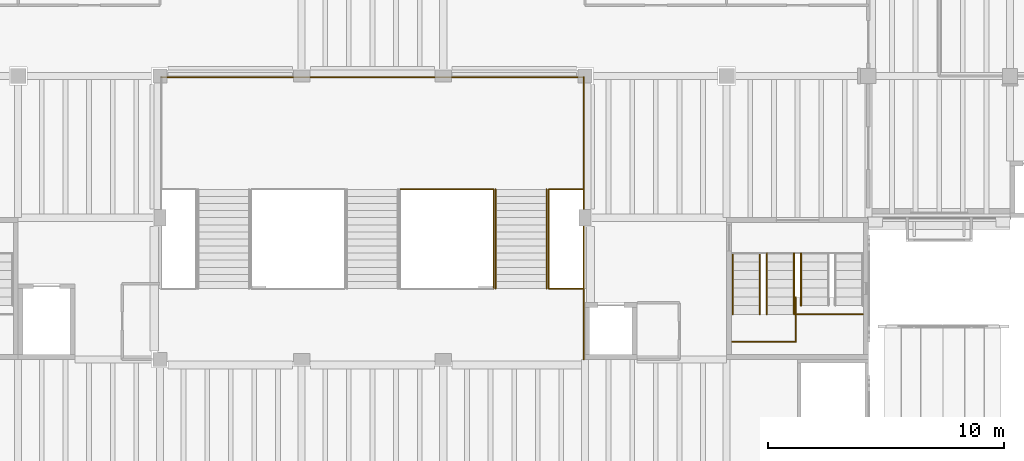
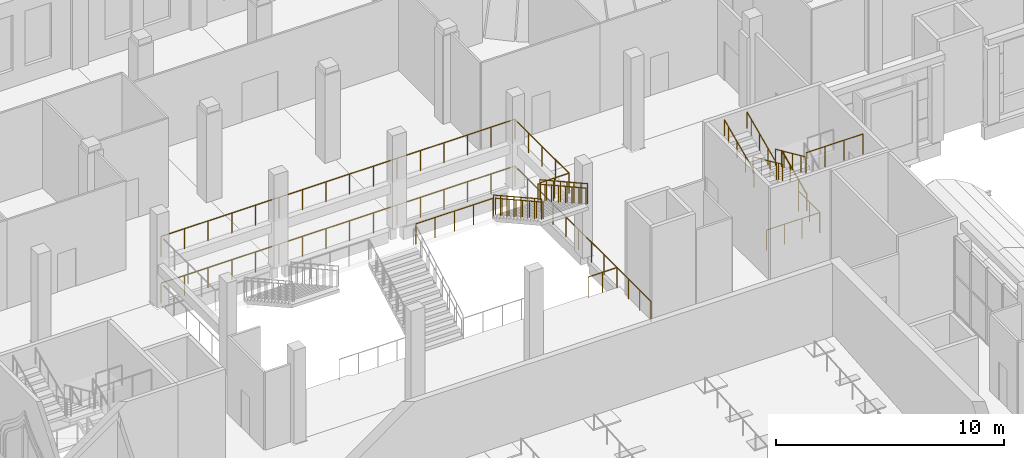
# One storey, part 77 of 80: 20 railings.
"""IFC4 building model written with IfcOpenShell, lengths in metres."""

from ifc_helpers import new_model, si_unit, direction, frame, origin, origin_2d, place, context, subcontext, project, spatial, circle, extrude, material, type_object, element, save


model = new_model("IFC4")

# Units and contexts
model_context = context("Model", 3, precision=1e-05, world=origin(), true_north=direction((0.0, 1.0)))
body_context = subcontext(model_context, "Body", "Model", "MODEL_VIEW")
ifc_project = project(units=[si_unit("LENGTHUNIT", "METRE"), si_unit("AREAUNIT", "SQUARE_METRE"), si_unit("VOLUMEUNIT", "CUBIC_METRE"), si_unit("PLANEANGLEUNIT", "RADIAN"), si_unit("MASSUNIT", "GRAM", prefix="KILO")], contexts=[model_context])

# Site, building, storey
site_placement = place(None, origin())
site = spatial("IfcSite", under=ifc_project, at=site_placement, CompositionType="ELEMENT")
building_placement = place(site_placement, origin())
building = spatial("IfcBuilding", under=site, at=building_placement, Name="Saffron Lane Theatres", CompositionType="ELEMENT")
storey_placement = place(building_placement, frame((0.0, 0.0, 7.0)))
storey = spatial("IfcBuildingStorey", under=building, at=storey_placement, Name="L01", CompositionType="ELEMENT", Elevation=7.0)

# Railings
ifc_material_1 = material(Name="Steel Grade 350", Category="steel")
railing_type_1 = type_object("IfcRailingType", Name="VC-GUARD 1100", PredefinedType="GUARDRAIL", material=ifc_material_1)
railing_1_placement = place(storey_placement, frame((50.89990234375, 96.75, 1.166748046875)))
element("IfcRailing", 1, at=railing_1_placement, inside=storey, type_object=railing_type_1, Name="Brick Block East Stair landing guard 2N1s", PredefinedType="GUARDRAIL", context=body_context, shape_type="SweptSolid", body=[
    extrude(circle(Radius=0.02392578125, at=origin_2d()), frame((0.0, 0.0, 1.076171875), z_axis=(-1.0, 0.0, 0.0), x_axis=(0.0, -1.0, 0.0)), (0.0, 0.0, 1.0), 2.669921875),
    extrude(circle(Radius=0.02099609375, at=origin_2d()), origin(), (0.0, 0.0, 1.0), 1.052001953125),
    extrude(circle(Radius=0.02099609375, at=origin_2d()), frame((-0.889892578125, 0.0, 0.0)), (0.0, 0.0, 1.0), 1.052001953125),
    extrude(circle(Radius=0.02099609375, at=origin_2d()), frame((-1.780029296875, 0.0, 0.0)), (0.0, 0.0, 1.0), 1.052001953125),
    extrude(circle(Radius=0.02099609375, at=origin_2d()), frame((-2.669921875, 0.0, 0.0)), (0.0, 0.0, 1.0), 1.052001953125),
])
railing_2_placement = place(storey_placement, frame((50.929931640625, 98.6298828125, 1.166748046875)))
element("IfcRailing", 2, at=railing_2_placement, inside=storey, type_object=railing_type_1, Name="Brick Block East Stair landing guard 2N1e", PredefinedType="GUARDRAIL", context=body_context, shape_type="SweptSolid", body=[
    extrude(circle(Radius=0.02392578125, at=origin_2d()), frame((0.0, 0.0, 1.076171875), z_axis=(0.0, -1.0, 0.0), x_axis=(1.0, 0.0, 0.0)), (0.0, 0.0, 1.0), 1.8798828125),
    extrude(circle(Radius=0.02099609375, at=origin_2d()), origin(), (0.0, 0.0, 1.0), 1.052001953125),
    extrude(circle(Radius=0.02099609375, at=origin_2d()), frame((0.0, -0.93994140625, 0.0)), (0.0, 0.0, 1.0), 1.052001953125),
    extrude(circle(Radius=0.02099609375, at=origin_2d()), frame((0.0, -1.8798828125, 0.0)), (0.0, 0.0, 1.0), 1.052001953125),
])
railing_3_placement = place(storey_placement, frame((53.77001953125, 97.909912109375, 3.666748046875)))
element("IfcRailing", 3, at=railing_3_placement, inside=storey, type_object=railing_type_1, Name="Brick Block East Stair landing guard 2N2s", PredefinedType="GUARDRAIL", context=body_context, shape_type="SweptSolid", body=[
    extrude(circle(Radius=0.02392578125, at=origin_2d()), frame((0.0, 0.0, 1.076171875), z_axis=(-1.0, 0.0, 0.0), x_axis=(0.0, -1.0, 0.0)), (0.0, 0.0, 1.0), 2.8701171875),
    extrude(circle(Radius=0.02099609375, at=origin_2d()), origin(), (0.0, 0.0, 1.0), 1.052001953125),
    extrude(circle(Radius=0.02099609375, at=origin_2d()), frame((-0.956787109375, 0.0, 0.0)), (0.0, 0.0, 1.0), 1.052001953125),
    extrude(circle(Radius=0.02099609375, at=origin_2d()), frame((-1.913330078125, 0.0, 0.0)), (0.0, 0.0, 1.0), 1.052001953125),
    extrude(circle(Radius=0.02099609375, at=origin_2d()), frame((-2.8701171875, 0.0, 0.0)), (0.0, 0.0, 1.0), 1.052001953125),
])
railing_4_placement = place(storey_placement, frame((38.1298828125, 103.199951171875, 2.666748046875)))
element("IfcRailing", 4, at=railing_4_placement, inside=storey, type_object=railing_type_1, Name="Grand Stair flight guard 2.3a", PredefinedType="GUARDRAIL", context=body_context, shape_type="SweptSolid", body=[
    extrude(circle(Radius=0.02392578125, at=origin_2d()), frame((0.0, 0.0, 1.076171875), z_axis=(0.0, -0.874157276122, 0.485642931179), x_axis=(1.0, 0.0, 0.0)), (0.0, 0.0, 1.0), 0.686279296875),
    extrude(circle(Radius=0.02392578125, at=origin_2d()), frame((0.0, -0.599853515625, 1.4091796875), z_axis=(0.0, -0.874241147926, 0.485491931212), x_axis=(1.0, 0.0, 0.0)), (0.0, 0.0, 1.0), 0.6865234375),
    extrude(circle(Radius=0.02392578125, at=origin_2d()), frame((0.0, -1.199951171875, 1.74267578125), z_axis=(0.0, -0.874090171491, 0.485763699861), x_axis=(1.0, 0.0, 0.0)), (0.0, 0.0, 1.0), 0.6865234375),
    extrude(circle(Radius=0.02392578125, at=origin_2d()), frame((0.0, -1.800048828125, 2.076171875), z_axis=(0.0, -0.874157276122, 0.485642931179), x_axis=(1.0, 0.0, 0.0)), (0.0, 0.0, 1.0), 0.686279296875),
    extrude(circle(Radius=0.02392578125, at=origin_2d()), frame((0.0, -2.39990234375, 2.4091796875), z_axis=(0.0, -0.874241147926, 0.485491931212), x_axis=(1.0, 0.0, 0.0)), (0.0, 0.0, 1.0), 0.6865234375),
    extrude(circle(Radius=0.02392578125, at=origin_2d()), frame((0.0, -3.0, 2.74267578125), z_axis=(0.0, -0.874006220275, 0.485914732151), x_axis=(1.0, 0.0, 0.0)), (0.0, 0.0, 1.0), 0.686279296875),
    extrude(circle(Radius=0.02392578125, at=origin_2d()), frame((0.0, -3.599853515625, 3.076171875), z_axis=(0.0, -0.874241147926, 0.485491931212), x_axis=(1.0, 0.0, 0.0)), (0.0, 0.0, 1.0), 0.6865234375),
    extrude(circle(Radius=0.02099609375, at=origin_2d()), origin(), (0.0, 0.0, 1.0), 1.052001953125),
    extrude(circle(Radius=0.02099609375, at=origin_2d()), frame((0.0, -0.599853515625, 0.333251953125)), (0.0, 0.0, 1.0), 1.052001953125),
    extrude(circle(Radius=0.02099609375, at=origin_2d()), frame((0.0, -1.199951171875, 0.66650390625)), (0.0, 0.0, 1.0), 1.052001953125),
    extrude(circle(Radius=0.02099609375, at=origin_2d()), frame((0.0, -1.800048828125, 1.0)), (0.0, 0.0, 1.0), 1.052001953125),
    extrude(circle(Radius=0.02099609375, at=origin_2d()), frame((0.0, -2.39990234375, 1.333251953125)), (0.0, 0.0, 1.0), 1.052001953125),
    extrude(circle(Radius=0.02099609375, at=origin_2d()), frame((0.0, -3.0, 1.66650390625)), (0.0, 0.0, 1.0), 1.052001953125),
    extrude(circle(Radius=0.02099609375, at=origin_2d()), frame((0.0, -3.599853515625, 2.0)), (0.0, 0.0, 1.0), 1.052001953125),
    extrude(circle(Radius=0.02099609375, at=origin_2d()), frame((0.0, -4.199951171875, 2.333251953125)), (0.0, 0.0, 1.0), 1.052001953125),
])
railing_5_placement = place(storey_placement, frame((40.469970703125, 103.199951171875, 2.666748046875)))
element("IfcRailing", 5, at=railing_5_placement, inside=storey, type_object=railing_type_1, Name="Grand Stair flight guard 2.3b", PredefinedType="GUARDRAIL", context=body_context, shape_type="SweptSolid", body=[
    extrude(circle(Radius=0.02392578125, at=origin_2d()), frame((0.0, 0.0, 1.076171875), z_axis=(0.0, -0.874157276122, 0.485642931179), x_axis=(1.0, 0.0, 0.0)), (0.0, 0.0, 1.0), 0.686279296875),
    extrude(circle(Radius=0.02392578125, at=origin_2d()), frame((0.0, -0.599853515625, 1.4091796875), z_axis=(0.0, -0.874241147926, 0.485491931212), x_axis=(1.0, 0.0, 0.0)), (0.0, 0.0, 1.0), 0.6865234375),
    extrude(circle(Radius=0.02392578125, at=origin_2d()), frame((0.0, -1.199951171875, 1.74267578125), z_axis=(0.0, -0.874090171491, 0.485763699861), x_axis=(1.0, 0.0, 0.0)), (0.0, 0.0, 1.0), 0.6865234375),
    extrude(circle(Radius=0.02392578125, at=origin_2d()), frame((0.0, -1.800048828125, 2.076171875), z_axis=(0.0, -0.874157276122, 0.485642931179), x_axis=(1.0, 0.0, 0.0)), (0.0, 0.0, 1.0), 0.686279296875),
    extrude(circle(Radius=0.02392578125, at=origin_2d()), frame((0.0, -2.39990234375, 2.4091796875), z_axis=(0.0, -0.874241147926, 0.485491931212), x_axis=(1.0, 0.0, 0.0)), (0.0, 0.0, 1.0), 0.6865234375),
    extrude(circle(Radius=0.02392578125, at=origin_2d()), frame((0.0, -3.0, 2.74267578125), z_axis=(0.0, -0.874006220275, 0.485914732151), x_axis=(1.0, 0.0, 0.0)), (0.0, 0.0, 1.0), 0.686279296875),
    extrude(circle(Radius=0.02392578125, at=origin_2d()), frame((0.0, -3.599853515625, 3.076171875), z_axis=(0.0, -0.874241147926, 0.485491931212), x_axis=(1.0, 0.0, 0.0)), (0.0, 0.0, 1.0), 0.6865234375),
    extrude(circle(Radius=0.02099609375, at=origin_2d()), origin(), (0.0, 0.0, 1.0), 1.052001953125),
    extrude(circle(Radius=0.02099609375, at=origin_2d()), frame((0.0, -0.599853515625, 0.333251953125)), (0.0, 0.0, 1.0), 1.052001953125),
    extrude(circle(Radius=0.02099609375, at=origin_2d()), frame((0.0, -1.199951171875, 0.66650390625)), (0.0, 0.0, 1.0), 1.052001953125),
    extrude(circle(Radius=0.02099609375, at=origin_2d()), frame((0.0, -1.800048828125, 1.0)), (0.0, 0.0, 1.0), 1.052001953125),
    extrude(circle(Radius=0.02099609375, at=origin_2d()), frame((0.0, -2.39990234375, 1.333251953125)), (0.0, 0.0, 1.0), 1.052001953125),
    extrude(circle(Radius=0.02099609375, at=origin_2d()), frame((0.0, -3.0, 1.66650390625)), (0.0, 0.0, 1.0), 1.052001953125),
    extrude(circle(Radius=0.02099609375, at=origin_2d()), frame((0.0, -3.599853515625, 2.0)), (0.0, 0.0, 1.0), 1.052001953125),
    extrude(circle(Radius=0.02099609375, at=origin_2d()), frame((0.0, -4.199951171875, 2.333251953125)), (0.0, 0.0, 1.0), 1.052001953125),
])
railing_6_placement = place(storey_placement, frame((41.949951171875, 103.199951171875, 2.5)))
element("IfcRailing", 6, at=railing_6_placement, inside=storey, type_object=railing_type_1, Name="Grand Stair landing guard 2m-east", PredefinedType="GUARDRAIL", context=body_context, shape_type="SweptSolid", body=[
    extrude(circle(Radius=0.02392578125, at=origin_2d()), frame((0.0, 0.0, 1.076171875), z_axis=(0.0, 1.0, 0.0), x_axis=(-1.0, 0.0, 0.0)), (0.0, 0.0, 1.0), 4.75),
    extrude(circle(Radius=0.02099609375, at=origin_2d()), origin(), (0.0, 0.0, 1.0), 1.052001953125),
    extrude(circle(Radius=0.02099609375, at=origin_2d()), frame((0.0, 1.1875, 0.0)), (0.0, 0.0, 1.0), 1.052001953125),
    extrude(circle(Radius=0.02099609375, at=origin_2d()), frame((0.0, 2.375, 0.0)), (0.0, 0.0, 1.0), 1.052001953125),
    extrude(circle(Radius=0.02099609375, at=origin_2d()), frame((0.0, 3.5625, 0.0)), (0.0, 0.0, 1.0), 1.052001953125),
    extrude(circle(Radius=0.02099609375, at=origin_2d()), frame((0.0, 4.75, 0.0)), (0.0, 0.0, 1.0), 1.052001953125),
])
railing_7_placement = place(storey_placement, frame((24.050048828125, 107.949951171875, 2.5)))
element("IfcRailing", 7, at=railing_7_placement, inside=storey, type_object=railing_type_1, Name="Grand Stair landing guard 2m-north", PredefinedType="GUARDRAIL", context=body_context, shape_type="SweptSolid", body=[
    extrude(circle(Radius=0.02392578125, at=origin_2d()), frame((0.0, 0.0, 1.076171875), z_axis=(1.0, 0.0, 0.0), x_axis=(0.0, 1.0, 0.0)), (0.0, 0.0, 1.0), 17.89990234375),
    extrude(circle(Radius=0.02099609375, at=origin_2d()), origin(), (0.0, 0.0, 1.0), 1.052001953125),
    extrude(circle(Radius=0.02099609375, at=origin_2d()), frame((1.193359375, 0.0, 0.0)), (0.0, 0.0, 1.0), 1.052001953125),
    extrude(circle(Radius=0.02099609375, at=origin_2d()), frame((2.38671875, 0.0, 0.0)), (0.0, 0.0, 1.0), 1.052001953125),
    extrude(circle(Radius=0.02099609375, at=origin_2d()), frame((3.580078125, 0.0, 0.0)), (0.0, 0.0, 1.0), 1.052001953125),
    extrude(circle(Radius=0.02099609375, at=origin_2d()), frame((4.773193359375, 0.0, 0.0)), (0.0, 0.0, 1.0), 1.052001953125),
    extrude(circle(Radius=0.02099609375, at=origin_2d()), frame((5.966552734375, 0.0, 0.0)), (0.0, 0.0, 1.0), 1.052001953125),
    extrude(circle(Radius=0.02099609375, at=origin_2d()), frame((7.159912109375, 0.0, 0.0)), (0.0, 0.0, 1.0), 1.052001953125),
    extrude(circle(Radius=0.02099609375, at=origin_2d()), frame((8.353271484375, 0.0, 0.0)), (0.0, 0.0, 1.0), 1.052001953125),
    extrude(circle(Radius=0.02099609375, at=origin_2d()), frame((9.546630859375, 0.0, 0.0)), (0.0, 0.0, 1.0), 1.052001953125),
    extrude(circle(Radius=0.02099609375, at=origin_2d()), frame((10.739990234375, 0.0, 0.0)), (0.0, 0.0, 1.0), 1.052001953125),
    extrude(circle(Radius=0.02099609375, at=origin_2d()), frame((11.933349609375, 0.0, 0.0)), (0.0, 0.0, 1.0), 1.052001953125),
    extrude(circle(Radius=0.02099609375, at=origin_2d()), frame((13.126708984375, 0.0, 0.0)), (0.0, 0.0, 1.0), 1.052001953125),
    extrude(circle(Radius=0.02099609375, at=origin_2d()), frame((14.31982421875, 0.0, 0.0)), (0.0, 0.0, 1.0), 1.052001953125),
    extrude(circle(Radius=0.02099609375, at=origin_2d()), frame((15.51318359375, 0.0, 0.0)), (0.0, 0.0, 1.0), 1.052001953125),
    extrude(circle(Radius=0.02099609375, at=origin_2d()), frame((16.70654296875, 0.0, 0.0)), (0.0, 0.0, 1.0), 1.052001953125),
    extrude(circle(Radius=0.02099609375, at=origin_2d()), frame((17.89990234375, 0.0, 0.0)), (0.0, 0.0, 1.0), 1.052001953125),
])
railing_8_placement = place(storey_placement, frame((34.199951171875, 103.199951171875, 2.5)))
element("IfcRailing", 8, at=railing_8_placement, inside=storey, type_object=railing_type_1, Name="Grand Stair landing guard 2m-gap3", PredefinedType="GUARDRAIL", context=body_context, shape_type="SweptSolid", body=[
    extrude(circle(Radius=0.02392578125, at=origin_2d()), frame((0.0, 0.0, 1.076171875), z_axis=(1.0, 0.0, 0.0), x_axis=(0.0, 1.0, 0.0)), (0.0, 0.0, 1.0), 3.900146484375),
    extrude(circle(Radius=0.02099609375, at=origin_2d()), origin(), (0.0, 0.0, 1.0), 1.052001953125),
    extrude(circle(Radius=0.02099609375, at=origin_2d()), frame((0.97509765625, 0.0, 0.0)), (0.0, 0.0, 1.0), 1.052001953125),
    extrude(circle(Radius=0.02099609375, at=origin_2d()), frame((1.9501953125, 0.0, 0.0)), (0.0, 0.0, 1.0), 1.052001953125),
    extrude(circle(Radius=0.02099609375, at=origin_2d()), frame((2.925048828125, 0.0, 0.0)), (0.0, 0.0, 1.0), 1.052001953125),
    extrude(circle(Radius=0.02099609375, at=origin_2d()), frame((3.900146484375, 0.0, 0.0)), (0.0, 0.0, 1.0), 1.052001953125),
])
for number, where, name in (
    (9, (40.5, 103.199951171875, 2.5), "Grand Stair landing guard 2m-gap4"),
    (10, (40.5, 99.0, 0.0), "Grand Stair landing guard 2s-L01-4"),
):
    element("IfcRailing", number, at=place(storey_placement, frame(where)), inside=storey, type_object=railing_type_1, Name=name, PredefinedType="GUARDRAIL", context=body_context, shape_type="SweptSolid", body=[
        extrude(circle(Radius=0.02392578125, at=origin_2d()), frame((0.0, 0.0, 1.076171875), z_axis=(1.0, 0.0, 0.0), x_axis=(0.0, 1.0, 0.0)), (0.0, 0.0, 1.0), 1.449951171875),
        extrude(circle(Radius=0.02099609375, at=origin_2d()), origin(), (0.0, 0.0, 1.0), 1.052001953125),
        extrude(circle(Radius=0.02099609375, at=origin_2d()), frame((0.72509765625, 0.0, 0.0)), (0.0, 0.0, 1.0), 1.052001953125),
        extrude(circle(Radius=0.02099609375, at=origin_2d()), frame((1.449951171875, 0.0, 0.0)), (0.0, 0.0, 1.0), 1.052001953125),
    ])
railing_9_placement = place(storey_placement, frame((41.949951171875, 96.0, 0.0)))
element("IfcRailing", 11, at=railing_9_placement, inside=storey, type_object=railing_type_1, Name="Grand Stair landing guard 2l-e-L01", PredefinedType="GUARDRAIL", context=body_context, shape_type="SweptSolid", body=[
    extrude(circle(Radius=0.02392578125, at=origin_2d()), frame((0.0, 0.0, 1.076171875), z_axis=(0.0, 1.0, 0.0), x_axis=(-1.0, 0.0, 0.0)), (0.0, 0.0, 1.0), 3.0),
    extrude(circle(Radius=0.02099609375, at=origin_2d()), origin(), (0.0, 0.0, 1.0), 1.052001953125),
    extrude(circle(Radius=0.02099609375, at=origin_2d()), frame((0.0, 1.0, 0.0)), (0.0, 0.0, 1.0), 1.052001953125),
    extrude(circle(Radius=0.02099609375, at=origin_2d()), frame((0.0, 2.0, 0.0)), (0.0, 0.0, 1.0), 1.052001953125),
    extrude(circle(Radius=0.02099609375, at=origin_2d()), frame((0.0, 3.0, 0.0)), (0.0, 0.0, 1.0), 1.052001953125),
])
railing_10_placement = place(storey_placement, frame((41.949951171875, 99.0, 0.0)))
element("IfcRailing", 12, at=railing_10_placement, inside=storey, type_object=railing_type_1, Name="Grand Stair landing guard 2v-e-L01", PredefinedType="GUARDRAIL", context=body_context, shape_type="SweptSolid", body=[
    extrude(circle(Radius=0.02392578125, at=origin_2d()), frame((0.0, 0.0, 1.076171875), z_axis=(0.0, 1.0, 0.0), x_axis=(-1.0, 0.0, 0.0)), (0.0, 0.0, 1.0), 8.949951171875),
    extrude(circle(Radius=0.02099609375, at=origin_2d()), origin(), (0.0, 0.0, 1.0), 1.052001953125),
    extrude(circle(Radius=0.02099609375, at=origin_2d()), frame((0.0, 1.11865234375, 0.0)), (0.0, 0.0, 1.0), 1.052001953125),
    extrude(circle(Radius=0.02099609375, at=origin_2d()), frame((0.0, 2.237548828125, 0.0)), (0.0, 0.0, 1.0), 1.052001953125),
    extrude(circle(Radius=0.02099609375, at=origin_2d()), frame((0.0, 3.356201171875, 0.0)), (0.0, 0.0, 1.0), 1.052001953125),
    extrude(circle(Radius=0.02099609375, at=origin_2d()), frame((0.0, 4.47509765625, 0.0)), (0.0, 0.0, 1.0), 1.052001953125),
    extrude(circle(Radius=0.02099609375, at=origin_2d()), frame((0.0, 5.59375, 0.0)), (0.0, 0.0, 1.0), 1.052001953125),
    extrude(circle(Radius=0.02099609375, at=origin_2d()), frame((0.0, 6.71240234375, 0.0)), (0.0, 0.0, 1.0), 1.052001953125),
    extrude(circle(Radius=0.02099609375, at=origin_2d()), frame((0.0, 7.831298828125, 0.0)), (0.0, 0.0, 1.0), 1.052001953125),
    extrude(circle(Radius=0.02099609375, at=origin_2d()), frame((0.0, 8.949951171875, 0.0)), (0.0, 0.0, 1.0), 1.052001953125),
])
railing_11_placement = place(storey_placement, frame((24.050048828125, 107.949951171875, 0.0)))
element("IfcRailing", 13, at=railing_11_placement, inside=storey, type_object=railing_type_1, Name="Grand Stair landing guard 2v-n-L01", PredefinedType="GUARDRAIL", context=body_context, shape_type="SweptSolid", body=[
    extrude(circle(Radius=0.02392578125, at=origin_2d()), frame((0.0, 0.0, 1.076171875), z_axis=(1.0, 0.0, 0.0), x_axis=(0.0, 1.0, 0.0)), (0.0, 0.0, 1.0), 17.89990234375),
    extrude(circle(Radius=0.02099609375, at=origin_2d()), origin(), (0.0, 0.0, 1.0), 1.052001953125),
    extrude(circle(Radius=0.02099609375, at=origin_2d()), frame((1.193359375, 0.0, 0.0)), (0.0, 0.0, 1.0), 1.052001953125),
    extrude(circle(Radius=0.02099609375, at=origin_2d()), frame((2.38671875, 0.0, 0.0)), (0.0, 0.0, 1.0), 1.052001953125),
    extrude(circle(Radius=0.02099609375, at=origin_2d()), frame((3.580078125, 0.0, 0.0)), (0.0, 0.0, 1.0), 1.052001953125),
    extrude(circle(Radius=0.02099609375, at=origin_2d()), frame((4.773193359375, 0.0, 0.0)), (0.0, 0.0, 1.0), 1.052001953125),
    extrude(circle(Radius=0.02099609375, at=origin_2d()), frame((5.966552734375, 0.0, 0.0)), (0.0, 0.0, 1.0), 1.052001953125),
    extrude(circle(Radius=0.02099609375, at=origin_2d()), frame((7.159912109375, 0.0, 0.0)), (0.0, 0.0, 1.0), 1.052001953125),
    extrude(circle(Radius=0.02099609375, at=origin_2d()), frame((8.353271484375, 0.0, 0.0)), (0.0, 0.0, 1.0), 1.052001953125),
    extrude(circle(Radius=0.02099609375, at=origin_2d()), frame((9.546630859375, 0.0, 0.0)), (0.0, 0.0, 1.0), 1.052001953125),
    extrude(circle(Radius=0.02099609375, at=origin_2d()), frame((10.739990234375, 0.0, 0.0)), (0.0, 0.0, 1.0), 1.052001953125),
    extrude(circle(Radius=0.02099609375, at=origin_2d()), frame((11.933349609375, 0.0, 0.0)), (0.0, 0.0, 1.0), 1.052001953125),
    extrude(circle(Radius=0.02099609375, at=origin_2d()), frame((13.126708984375, 0.0, 0.0)), (0.0, 0.0, 1.0), 1.052001953125),
    extrude(circle(Radius=0.02099609375, at=origin_2d()), frame((14.31982421875, 0.0, 0.0)), (0.0, 0.0, 1.0), 1.052001953125),
    extrude(circle(Radius=0.02099609375, at=origin_2d()), frame((15.51318359375, 0.0, 0.0)), (0.0, 0.0, 1.0), 1.052001953125),
    extrude(circle(Radius=0.02099609375, at=origin_2d()), frame((16.70654296875, 0.0, 0.0)), (0.0, 0.0, 1.0), 1.052001953125),
    extrude(circle(Radius=0.02099609375, at=origin_2d()), frame((17.89990234375, 0.0, 0.0)), (0.0, 0.0, 1.0), 1.052001953125),
])
ifc_material_2 = material(Name="Steel Grade 350", Category="steel")
railing_type_2 = type_object("IfcRailingType", Name="VC-HANDRAIL 900", PredefinedType="HANDRAIL", material=ifc_material_2)
railing_12_placement = place(storey_placement, frame((51.14990234375, 98.280029296875, 1.333251953125)))
element("IfcRailing", 14, at=railing_12_placement, inside=storey, type_object=railing_type_2, Name="Brick Block East Stair handrail 2.2b", PredefinedType="HANDRAIL", context=body_context, shape_type="SweptSolid", body=[
    extrude(circle(Radius=0.02392578125, at=origin_2d()), frame((0.0, 0.0, 0.8759765625), z_axis=(0.0, 0.911690610408, 0.410877391559), x_axis=(-1.0, 0.0, 0.0)), (0.0, 0.0, 1.0), 0.811767578125),
    extrude(circle(Radius=0.02392578125, at=origin_2d()), frame((0.0, 0.739990234375, 1.20947265625), z_axis=(0.0, 0.911803263409, 0.410627335715), x_axis=(-1.0, 0.0, 0.0)), (0.0, 0.0, 1.0), 0.8115234375),
    extrude(circle(Radius=0.02392578125, at=origin_2d()), frame((0.0, 1.47998046875, 1.54248046875), z_axis=(0.0, 0.911803263409, 0.410627335715), x_axis=(-1.0, 0.0, 0.0)), (0.0, 0.0, 1.0), 0.8115234375),
    extrude(circle(Radius=0.02099609375, at=origin_2d()), origin(), (0.0, 0.0, 1.0), 0.851806640625),
    extrude(circle(Radius=0.02099609375, at=origin_2d()), frame((0.0, 0.739990234375, 0.33349609375)), (0.0, 0.0, 1.0), 0.851806640625),
    extrude(circle(Radius=0.02099609375, at=origin_2d()), frame((0.0, 1.47998046875, 0.666748046875)), (0.0, 0.0, 1.0), 0.851806640625),
    extrude(circle(Radius=0.02099609375, at=origin_2d()), frame((0.0, 2.219970703125, 1.0)), (0.0, 0.0, 1.0), 0.851806640625),
])
for number, where, name in (
    (15, (50.85009765625, 100.5, 2.5), "Brick Block East Stair handrail 2.3a"),
    (16, (49.699951171875, 100.5, 2.5), "Brick Block East Stair handrail 2.3b"),
):
    element("IfcRailing", number, at=place(storey_placement, frame(where)), inside=storey, type_object=railing_type_2, Name=name, PredefinedType="HANDRAIL", context=body_context, shape_type="SweptSolid", body=[
        extrude(circle(Radius=0.02392578125, at=origin_2d()), frame((0.0, 0.0, 0.8759765625), z_axis=(0.0, -0.911803263409, 0.410627335715), x_axis=(1.0, 0.0, 0.0)), (0.0, 0.0, 1.0), 0.8115234375),
        extrude(circle(Radius=0.02392578125, at=origin_2d()), frame((0.0, -0.739990234375, 1.208984375), z_axis=(0.0, -0.911690610408, 0.410877391559), x_axis=(1.0, 0.0, 0.0)), (0.0, 0.0, 1.0), 0.811767578125),
        extrude(circle(Radius=0.02392578125, at=origin_2d()), frame((0.0, -1.47998046875, 1.54248046875), z_axis=(0.0, -0.911803263409, 0.410627335715), x_axis=(1.0, 0.0, 0.0)), (0.0, 0.0, 1.0), 0.8115234375),
        extrude(circle(Radius=0.02392578125, at=origin_2d()), frame((0.0, -2.219970703125, 1.8759765625), z_axis=(0.0, -0.911741368748, 0.410764745947), x_axis=(1.0, 0.0, 0.0)), (0.0, 0.0, 1.0), 0.406005859375),
        extrude(circle(Radius=0.02099609375, at=origin_2d()), origin(), (0.0, 0.0, 1.0), 0.851806640625),
        extrude(circle(Radius=0.02099609375, at=origin_2d()), frame((0.0, -0.739990234375, 0.333251953125)), (0.0, 0.0, 1.0), 0.851806640625),
        extrude(circle(Radius=0.02099609375, at=origin_2d()), frame((0.0, -1.47998046875, 0.666748046875)), (0.0, 0.0, 1.0), 0.851806640625),
        extrude(circle(Radius=0.02099609375, at=origin_2d()), frame((0.0, -2.219970703125, 1.0)), (0.0, 0.0, 1.0), 0.851806640625),
        extrude(circle(Radius=0.02099609375, at=origin_2d()), frame((0.0, -2.590087890625, 1.166748046875)), (0.0, 0.0, 1.0), 0.851806640625),
    ])
for number, where, name in (
    (17, (49.39990234375, 97.909912109375, 3.833251953125), "Brick Block East Stair handrail 2.4a"),
    (18, (48.25, 97.909912109375, 3.833251953125), "Brick Block East Stair handrail 2.4b"),
):
    element("IfcRailing", number, at=place(storey_placement, frame(where)), inside=storey, type_object=railing_type_2, Name=name, PredefinedType="HANDRAIL", context=body_context, shape_type="SweptSolid", body=[
        extrude(circle(Radius=0.02392578125, at=origin_2d()), frame((0.0, 0.0, 0.8759765625), z_axis=(0.0, 0.911690610408, 0.410877391559), x_axis=(-1.0, 0.0, 0.0)), (0.0, 0.0, 1.0), 0.811767578125),
        extrude(circle(Radius=0.02392578125, at=origin_2d()), frame((0.0, 0.739990234375, 1.20947265625), z_axis=(0.0, 0.911803263409, 0.410627335715), x_axis=(-1.0, 0.0, 0.0)), (0.0, 0.0, 1.0), 0.8115234375),
        extrude(circle(Radius=0.02392578125, at=origin_2d()), frame((0.0, 1.47998046875, 1.54248046875), z_axis=(0.0, 0.911803263409, 0.410627335715), x_axis=(-1.0, 0.0, 0.0)), (0.0, 0.0, 1.0), 0.8115234375),
        extrude(circle(Radius=0.02392578125, at=origin_2d()), frame((0.0, 2.219970703125, 1.8759765625), z_axis=(0.0, 0.911741368748, 0.410764745947), x_axis=(-1.0, 0.0, 0.0)), (0.0, 0.0, 1.0), 0.406005859375),
        extrude(circle(Radius=0.02099609375, at=origin_2d()), origin(), (0.0, 0.0, 1.0), 0.851806640625),
        extrude(circle(Radius=0.02099609375, at=origin_2d()), frame((0.0, 0.739990234375, 0.33349609375)), (0.0, 0.0, 1.0), 0.851806640625),
        extrude(circle(Radius=0.02099609375, at=origin_2d()), frame((0.0, 1.47998046875, 0.666748046875)), (0.0, 0.0, 1.0), 0.851806640625),
        extrude(circle(Radius=0.02099609375, at=origin_2d()), frame((0.0, 2.219970703125, 1.0)), (0.0, 0.0, 1.0), 0.851806640625),
        extrude(circle(Radius=0.02099609375, at=origin_2d()), frame((0.0, 2.590087890625, 1.166748046875)), (0.0, 0.0, 1.0), 0.851806640625),
    ])
railing_13_placement = place(storey_placement, frame((38.219970703125, 103.199951171875, 2.666748046875)))
element("IfcRailing", 19, at=railing_13_placement, inside=storey, type_object=railing_type_2, Name="Grand Stair handrail 2.3a", PredefinedType="HANDRAIL", context=body_context, shape_type="SweptSolid", body=[
    extrude(circle(Radius=0.02392578125, at=origin_2d()), frame((0.0, 0.0, 0.8759765625), z_axis=(0.0, -0.874157276122, 0.485642931179), x_axis=(1.0, 0.0, 0.0)), (0.0, 0.0, 1.0), 0.686279296875),
    extrude(circle(Radius=0.02392578125, at=origin_2d()), frame((0.0, -0.599853515625, 1.208984375), z_axis=(0.0, -0.874241147926, 0.485491931212), x_axis=(1.0, 0.0, 0.0)), (0.0, 0.0, 1.0), 0.6865234375),
    extrude(circle(Radius=0.02392578125, at=origin_2d()), frame((0.0, -1.199951171875, 1.54248046875), z_axis=(0.0, -0.874090171491, 0.485763699861), x_axis=(1.0, 0.0, 0.0)), (0.0, 0.0, 1.0), 0.6865234375),
    extrude(circle(Radius=0.02392578125, at=origin_2d()), frame((0.0, -1.800048828125, 1.8759765625), z_axis=(0.0, -0.874157276122, 0.485642931179), x_axis=(1.0, 0.0, 0.0)), (0.0, 0.0, 1.0), 0.686279296875),
    extrude(circle(Radius=0.02392578125, at=origin_2d()), frame((0.0, -2.39990234375, 2.208984375), z_axis=(0.0, -0.874241147926, 0.485491931212), x_axis=(1.0, 0.0, 0.0)), (0.0, 0.0, 1.0), 0.6865234375),
    extrude(circle(Radius=0.02392578125, at=origin_2d()), frame((0.0, -3.0, 2.54248046875), z_axis=(0.0, -0.874006220275, 0.485914732151), x_axis=(1.0, 0.0, 0.0)), (0.0, 0.0, 1.0), 0.686279296875),
    extrude(circle(Radius=0.02392578125, at=origin_2d()), frame((0.0, -3.599853515625, 2.8759765625), z_axis=(0.0, -0.874241147926, 0.485491931212), x_axis=(1.0, 0.0, 0.0)), (0.0, 0.0, 1.0), 0.6865234375),
    extrude(circle(Radius=0.02099609375, at=origin_2d()), origin(), (0.0, 0.0, 1.0), 0.851806640625),
    extrude(circle(Radius=0.02099609375, at=origin_2d()), frame((0.0, -0.599853515625, 0.333251953125)), (0.0, 0.0, 1.0), 0.851806640625),
    extrude(circle(Radius=0.02099609375, at=origin_2d()), frame((0.0, -1.199951171875, 0.66650390625)), (0.0, 0.0, 1.0), 0.851806640625),
    extrude(circle(Radius=0.02099609375, at=origin_2d()), frame((0.0, -1.800048828125, 1.0)), (0.0, 0.0, 1.0), 0.851806640625),
    extrude(circle(Radius=0.02099609375, at=origin_2d()), frame((0.0, -2.39990234375, 1.333251953125)), (0.0, 0.0, 1.0), 0.851806640625),
    extrude(circle(Radius=0.02099609375, at=origin_2d()), frame((0.0, -3.0, 1.66650390625)), (0.0, 0.0, 1.0), 0.851806640625),
    extrude(circle(Radius=0.02099609375, at=origin_2d()), frame((0.0, -3.599853515625, 2.0)), (0.0, 0.0, 1.0), 0.851806640625),
    extrude(circle(Radius=0.02099609375, at=origin_2d()), frame((0.0, -4.199951171875, 2.333251953125)), (0.0, 0.0, 1.0), 0.851806640625),
])
railing_14_placement = place(storey_placement, frame((40.3798828125, 103.199951171875, 2.666748046875)))
element("IfcRailing", 20, at=railing_14_placement, inside=storey, type_object=railing_type_2, Name="Grand Stair handrail 2.3b", PredefinedType="HANDRAIL", context=body_context, shape_type="SweptSolid", body=[
    extrude(circle(Radius=0.02392578125, at=origin_2d()), frame((0.0, 0.0, 0.8759765625), z_axis=(0.0, -0.874157276122, 0.485642931179), x_axis=(1.0, 0.0, 0.0)), (0.0, 0.0, 1.0), 0.686279296875),
    extrude(circle(Radius=0.02392578125, at=origin_2d()), frame((0.0, -0.599853515625, 1.208984375), z_axis=(0.0, -0.874241147926, 0.485491931212), x_axis=(1.0, 0.0, 0.0)), (0.0, 0.0, 1.0), 0.6865234375),
    extrude(circle(Radius=0.02392578125, at=origin_2d()), frame((0.0, -1.199951171875, 1.54248046875), z_axis=(0.0, -0.874090171491, 0.485763699861), x_axis=(1.0, 0.0, 0.0)), (0.0, 0.0, 1.0), 0.6865234375),
    extrude(circle(Radius=0.02392578125, at=origin_2d()), frame((0.0, -1.800048828125, 1.8759765625), z_axis=(0.0, -0.874157276122, 0.485642931179), x_axis=(1.0, 0.0, 0.0)), (0.0, 0.0, 1.0), 0.686279296875),
    extrude(circle(Radius=0.02392578125, at=origin_2d()), frame((0.0, -2.39990234375, 2.208984375), z_axis=(0.0, -0.874241147926, 0.485491931212), x_axis=(1.0, 0.0, 0.0)), (0.0, 0.0, 1.0), 0.6865234375),
    extrude(circle(Radius=0.02392578125, at=origin_2d()), frame((0.0, -3.0, 2.54248046875), z_axis=(0.0, -0.874006220275, 0.485914732151), x_axis=(1.0, 0.0, 0.0)), (0.0, 0.0, 1.0), 0.686279296875),
    extrude(circle(Radius=0.02392578125, at=origin_2d()), frame((0.0, -3.599853515625, 2.8759765625), z_axis=(0.0, -0.874241147926, 0.485491931212), x_axis=(1.0, 0.0, 0.0)), (0.0, 0.0, 1.0), 0.6865234375),
    extrude(circle(Radius=0.02099609375, at=origin_2d()), origin(), (0.0, 0.0, 1.0), 0.851806640625),
    extrude(circle(Radius=0.02099609375, at=origin_2d()), frame((0.0, -0.599853515625, 0.333251953125)), (0.0, 0.0, 1.0), 0.851806640625),
    extrude(circle(Radius=0.02099609375, at=origin_2d()), frame((0.0, -1.199951171875, 0.66650390625)), (0.0, 0.0, 1.0), 0.851806640625),
    extrude(circle(Radius=0.02099609375, at=origin_2d()), frame((0.0, -1.800048828125, 1.0)), (0.0, 0.0, 1.0), 0.851806640625),
    extrude(circle(Radius=0.02099609375, at=origin_2d()), frame((0.0, -2.39990234375, 1.333251953125)), (0.0, 0.0, 1.0), 0.851806640625),
    extrude(circle(Radius=0.02099609375, at=origin_2d()), frame((0.0, -3.0, 1.66650390625)), (0.0, 0.0, 1.0), 0.851806640625),
    extrude(circle(Radius=0.02099609375, at=origin_2d()), frame((0.0, -3.599853515625, 2.0)), (0.0, 0.0, 1.0), 0.851806640625),
    extrude(circle(Radius=0.02099609375, at=origin_2d()), frame((0.0, -4.199951171875, 2.333251953125)), (0.0, 0.0, 1.0), 0.851806640625),
])

save(model, "model.ifc")
